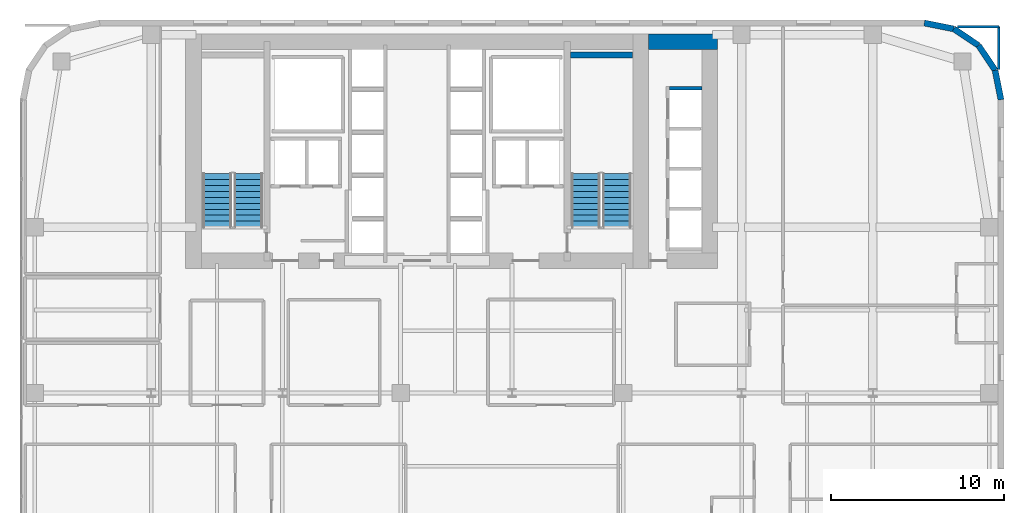
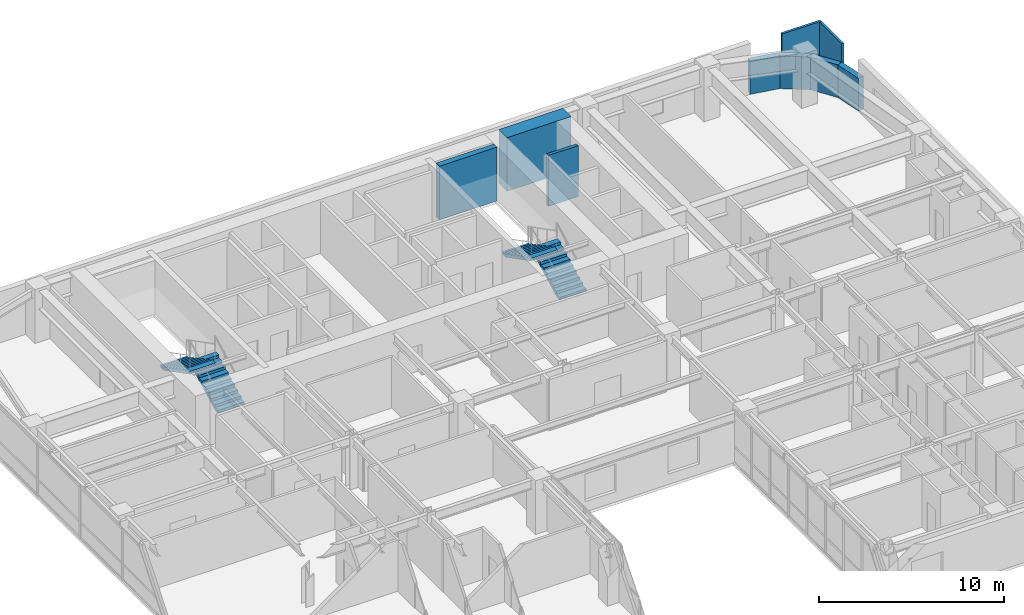
# One storey, part 29 of 30: 9 walls, 4 stair flights, 2 elements without a shape of their own.
"""IFC4 building model written with IfcOpenShell, lengths in metres."""

from ifc_helpers import new_model, si_unit, direction, frame, frame_2d, origin, place, context, subcontext, project, spatial, polyline, rectangle, outline, extrude, material, layer, layer_set, type_object, element, aggregate, save


model = new_model("IFC4")

# Units and contexts
model_context = context("Model", 3, precision=1e-05, world=origin(), true_north=direction((0.0, 1.0)))
body_context = subcontext(model_context, "Body", "Model", "MODEL_VIEW")
ifc_project = project(units=[si_unit("LENGTHUNIT", "METRE"), si_unit("AREAUNIT", "SQUARE_METRE"), si_unit("VOLUMEUNIT", "CUBIC_METRE"), si_unit("PLANEANGLEUNIT", "RADIAN"), si_unit("MASSUNIT", "GRAM", prefix="KILO")], contexts=[model_context])

# Site, building, storey
site_placement = place(None, origin())
site = spatial("IfcSite", under=ifc_project, at=site_placement, CompositionType="ELEMENT")
building_placement = place(site_placement, origin())
building = spatial("IfcBuilding", under=site, at=building_placement, Name="Tolvann Quenvar Hotel", CompositionType="ELEMENT")
storey_placement = place(building_placement, frame((0.0, 0.0, 56.85009765625)))
storey = spatial("IfcBuildingStorey", under=building, at=storey_placement, Name="L13", CompositionType="ELEMENT", Elevation=56.85009765625)

# Walls
ifc_material_1 = material(Name="Concrete S80 (80 MPa)", Category="concrete")
ifc_layer_1 = layer(ifc_material_1, 0.89990234375)
ifc_layer_set_1 = layer_set([ifc_layer_1], Name="Concrete S80 (80 MPa)")
wall_type_1 = type_object("IfcWallType", Name="WALL_CORE_900", PredefinedType="SHEAR", material=ifc_layer_set_1)
wall_1_placement = place(storey_placement, frame((36.39990234375, 44.75, 0.0), z_axis=(0.0, 0.0, 1.0), x_axis=(1.0, 0.0, 0.0)))
element("IfcWall", 1, at=wall_1_placement, inside=storey, type_object=wall_type_1, Name="Core East Annex Shear Wall ANN-N (L13)", PredefinedType="SHEAR", context=body_context, shape_type="SweptSolid", body=[
    extrude(rectangle(XDim=4.0, YDim=0.89990234375, at=frame_2d((2.0, 0.0))), origin(), (0.0, 0.0, 1.0), 3.5498046875),
])
ifc_material_2 = material(Name="Concrete S65 (65 MPa)", Category="concrete")
ifc_layer_2 = layer(ifc_material_2, 0.35009765625)
ifc_layer_set_2 = layer_set([ifc_layer_2], Name="Concrete S65 (65 MPa)")
wall_type_2 = type_object("IfcWallType", Name="WALL_CORE_INT_350", PredefinedType="SHEAR", material=ifc_layer_set_2)
wall_2_placement = place(storey_placement, frame((31.8798828125, 43.97509765625, 0.0), z_axis=(0.0, 0.0, 1.0), x_axis=(1.0, 0.0, 0.0)))
element("IfcWall", 2, at=wall_2_placement, inside=storey, type_object=wall_type_2, Name="Core Stair North Closing Shear Wall STC2-N (L13)", PredefinedType="SHEAR", context=body_context, shape_type="SweptSolid", body=[
    extrude(rectangle(XDim=3.60009765625, YDim=0.35009765625, at=frame_2d((1.800048828125, 0.0))), origin(), (0.0, 0.0, 1.0), 3.5498046875),
])
ifc_material_3 = material(Name="Kiln-fired red and buff architectural clay brickwork and terracotta masonry", Category="masonry")
ifc_layer_3 = layer(ifc_material_3, 0.35009765625)
ifc_layer_set_3 = layer_set([ifc_layer_3], Name="Kiln-fired red and buff architectural clay brickwork and terracotta masonry")
wall_type_3 = type_object("IfcWallType", Name="WALL_EXT_BRICK_350", PredefinedType="SOLIDWALL", material=ifc_layer_set_3)
wall_3_placement = place(storey_placement, frame((56.824951171875, 41.3828125, 0.0), z_axis=(0.0, 0.0, 1.0), x_axis=(-0.195011420161, 0.980800971659, 0.0)))
element("IfcWall", 3, at=wall_3_placement, inside=storey, type_object=wall_type_3, Name="Exterior Chicago Brick Wall L13-E14", PredefinedType="SOLIDWALL", context=body_context, shape_type="SweptSolid", body=[
    extrude(rectangle(XDim=1.74267578125, YDim=0.35009765625, at=frame_2d((0.871337890625, 0.0))), origin(), (0.0, 0.0, 1.0), 2.159912109375),
])
for number, where, z_axis, x_axis, name in (
    (4, (56.485107421875, 43.092041015625, 0.0), (0.0, 0.0, 1.0), (-0.55554893791, 0.831483840845, 0.0), "Exterior Chicago Brick Wall L13-E15"),
    (5, (55.526611328125, 44.526611328125, 0.0), (0.0, 0.0, 1.0), (-0.831483840845, 0.55554893791, 0.0), "Exterior Chicago Brick Wall L13-E16"),
):
    element("IfcWall", number, at=place(storey_placement, frame(where, z_axis=z_axis, x_axis=x_axis)), inside=storey, type_object=wall_type_3, Name=name, PredefinedType="SOLIDWALL", context=body_context, shape_type="SweptSolid", body=[
        extrude(rectangle(XDim=1.725341796875, YDim=0.35009765625, at=frame_2d((0.86279296875, 0.0))), origin(), (0.0, 0.0, 1.0), 2.159912109375),
    ])
wall_4_placement = place(storey_placement, frame((54.092041015625, 45.485107421875, 0.0), z_axis=(0.0, 0.0, 1.0), x_axis=(-0.980800971659, 0.195011420161, 0.0)))
element("IfcWall", 6, at=wall_4_placement, inside=storey, type_object=wall_type_3, Name="Exterior Chicago Brick Wall L13-E17", PredefinedType="SOLIDWALL", context=body_context, shape_type="SweptSolid", body=[
    extrude(rectangle(XDim=1.74267578125, YDim=0.35009765625, at=frame_2d((0.871337890625, 0.0))), origin(), (0.0, 0.0, 1.0), 2.159912109375),
])
ifc_material_4 = material(Name="Acoustic twin-stud fire-rated gypsum plasterboard partition")
ifc_layer_4 = layer(ifc_material_4, 0.14990234375)
ifc_layer_set_4 = layer_set([ifc_layer_4], Name="Acoustic twin-stud fire-rated gypsum plasterboard partition")
wall_type_4 = type_object("IfcWallType", Name="WALL_PART_SUITE_150", PredefinedType="PARTITIONING", material=ifc_layer_set_4)
wall_5_placement = place(storey_placement, frame((56.699951171875, 43.135009765625, 0.0), z_axis=(0.0, 0.0, 1.0), x_axis=(0.0, 1.0, 0.0)))
element("IfcWall", 7, at=wall_5_placement, inside=storey, type_object=wall_type_4, Name="Interior Partition PT-SPC-L13-RM-NE02-E4", PredefinedType="PARTITIONING", context=body_context, shape_type="SweptSolid", body=[
    extrude(rectangle(XDim=2.485107421875, YDim=0.14990234375, at=frame_2d((1.24267578125, 0.0))), origin(), (0.0, 0.0, 1.0), 3.369873046875),
])
wall_6_placement = place(storey_placement, frame((54.303955078125, 45.6201171875, 0.0), z_axis=(0.0, 0.0, 1.0), x_axis=(1.0, 0.0, 0.0)))
element("IfcWall", 8, at=wall_6_placement, inside=storey, type_object=wall_type_4, Name="Interior Partition PT-SPC-L13-RM-NE02-E5", PredefinedType="PARTITIONING", context=body_context, shape_type="SweptSolid", body=[
    extrude(rectangle(XDim=2.39599609375, YDim=0.14990234375, at=frame_2d((1.197998046875, 0.0))), origin(), (0.0, 0.0, 1.0), 3.369873046875),
])
ifc_material_5 = material(Name="Concrete N40 (40 MPa)", Category="concrete")
ifc_layer_5 = layer(ifc_material_5, 0.199951171875)
ifc_layer_set_5 = layer_set([ifc_layer_5], Name="Concrete N40 (40 MPa)")
wall_type_5 = type_object("IfcWallType", Name="WALL_SHAFT_200", PredefinedType="SOLIDWALL", material=ifc_layer_set_5)
wall_7_placement = place(storey_placement, frame((37.6298828125, 42.050048828125, 0.0), z_axis=(0.0, 0.0, 1.0), x_axis=(1.0, 0.0, 0.0)))
element("IfcWall", 9, at=wall_7_placement, inside=storey, type_object=wall_type_5, Name="Lift Bank W37.6C1 Hoistway Cheek Wall 2 (L13)", PredefinedType="SOLIDWALL", context=body_context, shape_type="SweptSolid", body=[
    extrude(rectangle(XDim=1.8701171875, YDim=0.199951171875, at=frame_2d((0.93505859375, 0.0))), origin(), (0.0, 0.0, 1.0), 3.369873046875),
])

# Stair, stair flights
stair_type = type_object("IfcStairType", Name="STAIR", PredefinedType="HALF_TURN_STAIR", material=ifc_material_5)
stair_1_placement = place(storey_placement, origin())
stair_1 = element("IfcStair", 10, at=stair_1_placement, inside=storey, type_object=stair_type, Name="L13 ST-C1", PredefinedType="HALF_TURN_STAIR")
stair_flight_type = type_object("IfcStairFlightType", Name="STAIR_FLIGHT", PredefinedType="STRAIGHT", material=ifc_material_5)
stair_flight_1_placement = place(storey_placement, frame((13.22509765625, 34.0, 0.0), z_axis=(0.0, 0.0, 1.0), x_axis=(0.0, 1.0, 0.0)))
stair_flight_1 = element("IfcStairFlight", 11, at=stair_flight_1_placement, type_object=stair_flight_type, Name="ST-C1 flight 1", NumberOfRisers=10, NumberOfTreads=9, PredefinedType="STRAIGHT", RiserHeight=0.1775, TreadLength=0.345, context=body_context, shape_type="SweptSolid", body=[
    extrude(outline(polyline([(0.0, 0.0), (0.0, 0.177490234375), (0.344970703125, 0.177490234375), (0.344970703125, 0.35498046875), (0.68994140625, 0.35498046875), (0.68994140625, 0.532470703125), (1.034912109375, 0.532470703125), (1.034912109375, 0.7099609375), (1.3798828125, 0.7099609375), (1.3798828125, 0.887451171875), (1.72509765625, 0.887451171875), (1.72509765625, 1.06494140625), (2.070068359375, 1.06494140625), (2.070068359375, 1.242431640625), (2.4150390625, 1.242431640625), (2.4150390625, 1.419921875), (2.760009765625, 1.419921875), (2.760009765625, 1.597412109375), (3.10498046875, 1.597412109375), (3.10498046875, 1.77490234375), (3.10498046875, 1.428955078125), (0.32763671875, 0.0), (0.0, 0.0)])), frame((0.0, 0.824951171875, 0.0), z_axis=(0.0, -1.0, 0.0), x_axis=(1.0, 0.0, 0.0)), (0.0, 0.0, 1.0), 1.64990234375),
])
stair_flight_2_placement = place(storey_placement, frame((11.425048828125, 37.10498046875, 1.77490234375), z_axis=(0.0, 0.0, 1.0), x_axis=(0.0, -1.0, 0.0)))
stair_flight_2 = element("IfcStairFlight", 12, at=stair_flight_2_placement, type_object=stair_flight_type, Name="ST-C1 flight 2", NumberOfRisers=10, NumberOfTreads=9, PredefinedType="STRAIGHT", RiserHeight=0.1775, TreadLength=0.345, context=body_context, shape_type="SweptSolid", body=[
    extrude(outline(polyline([(0.0, 0.0), (0.0, 0.177490234375), (0.344970703125, 0.177490234375), (0.344970703125, 0.35498046875), (0.68994140625, 0.35498046875), (0.68994140625, 0.532470703125), (1.034912109375, 0.532470703125), (1.034912109375, 0.7099609375), (1.3798828125, 0.7099609375), (1.3798828125, 0.887451171875), (1.72509765625, 0.887451171875), (1.72509765625, 1.06494140625), (2.070068359375, 1.06494140625), (2.070068359375, 1.242431640625), (2.4150390625, 1.242431640625), (2.4150390625, 1.419921875), (2.760009765625, 1.419921875), (2.760009765625, 1.597412109375), (3.10498046875, 1.597412109375), (3.10498046875, 1.77490234375), (3.10498046875, 1.428955078125), (0.32763671875, 0.0), (0.0, 0.0)])), frame((0.0, 0.824951171875, 0.0), z_axis=(0.0, -1.0, 0.0), x_axis=(1.0, 0.0, 0.0)), (0.0, 0.0, 1.0), 1.64990234375),
])
aggregate(stair_1, [stair_flight_1, stair_flight_2])

stair_2_placement = place(storey_placement, origin())
stair_2 = element("IfcStair", 13, at=stair_2_placement, inside=storey, type_object=stair_type, Name="L13 ST-C2", PredefinedType="HALF_TURN_STAIR")
stair_flight_3_placement = place(storey_placement, frame((34.574951171875, 34.0, 0.0), z_axis=(0.0, 0.0, 1.0), x_axis=(0.0, 1.0, 0.0)))
stair_flight_3 = element("IfcStairFlight", 14, at=stair_flight_3_placement, type_object=stair_flight_type, Name="ST-C2 flight 1", NumberOfRisers=10, NumberOfTreads=9, PredefinedType="STRAIGHT", RiserHeight=0.1775, TreadLength=0.345, context=body_context, shape_type="SweptSolid", body=[
    extrude(outline(polyline([(0.0, 0.0), (0.0, 0.177490234375), (0.344970703125, 0.177490234375), (0.344970703125, 0.35498046875), (0.68994140625, 0.35498046875), (0.68994140625, 0.532470703125), (1.034912109375, 0.532470703125), (1.034912109375, 0.7099609375), (1.3798828125, 0.7099609375), (1.3798828125, 0.887451171875), (1.72509765625, 0.887451171875), (1.72509765625, 1.06494140625), (2.070068359375, 1.06494140625), (2.070068359375, 1.242431640625), (2.4150390625, 1.242431640625), (2.4150390625, 1.419921875), (2.760009765625, 1.419921875), (2.760009765625, 1.597412109375), (3.10498046875, 1.597412109375), (3.10498046875, 1.77490234375), (3.10498046875, 1.428955078125), (0.32763671875, 0.0), (0.0, 0.0)])), frame((0.0, 0.824951171875, 0.0), z_axis=(0.0, -1.0, 0.0), x_axis=(1.0, 0.0, 0.0)), (0.0, 0.0, 1.0), 1.64990234375),
])
stair_flight_4_placement = place(storey_placement, frame((32.77490234375, 37.10498046875, 1.77490234375), z_axis=(0.0, 0.0, 1.0), x_axis=(0.0, -1.0, 0.0)))
stair_flight_4 = element("IfcStairFlight", 15, at=stair_flight_4_placement, type_object=stair_flight_type, Name="ST-C2 flight 2", NumberOfRisers=10, NumberOfTreads=9, PredefinedType="STRAIGHT", RiserHeight=0.1775, TreadLength=0.345, context=body_context, shape_type="SweptSolid", body=[
    extrude(outline(polyline([(0.0, 0.0), (0.0, 0.177490234375), (0.344970703125, 0.177490234375), (0.344970703125, 0.35498046875), (0.68994140625, 0.35498046875), (0.68994140625, 0.532470703125), (1.034912109375, 0.532470703125), (1.034912109375, 0.7099609375), (1.3798828125, 0.7099609375), (1.3798828125, 0.887451171875), (1.72509765625, 0.887451171875), (1.72509765625, 1.06494140625), (2.070068359375, 1.06494140625), (2.070068359375, 1.242431640625), (2.4150390625, 1.242431640625), (2.4150390625, 1.419921875), (2.760009765625, 1.419921875), (2.760009765625, 1.597412109375), (3.10498046875, 1.597412109375), (3.10498046875, 1.77490234375), (3.10498046875, 1.428955078125), (0.32763671875, 0.0), (0.0, 0.0)])), frame((0.0, 0.824951171875, 0.0), z_axis=(0.0, -1.0, 0.0), x_axis=(1.0, 0.0, 0.0)), (0.0, 0.0, 1.0), 1.64990234375),
])
aggregate(stair_2, [stair_flight_3, stair_flight_4])

save(model, "model.ifc")
